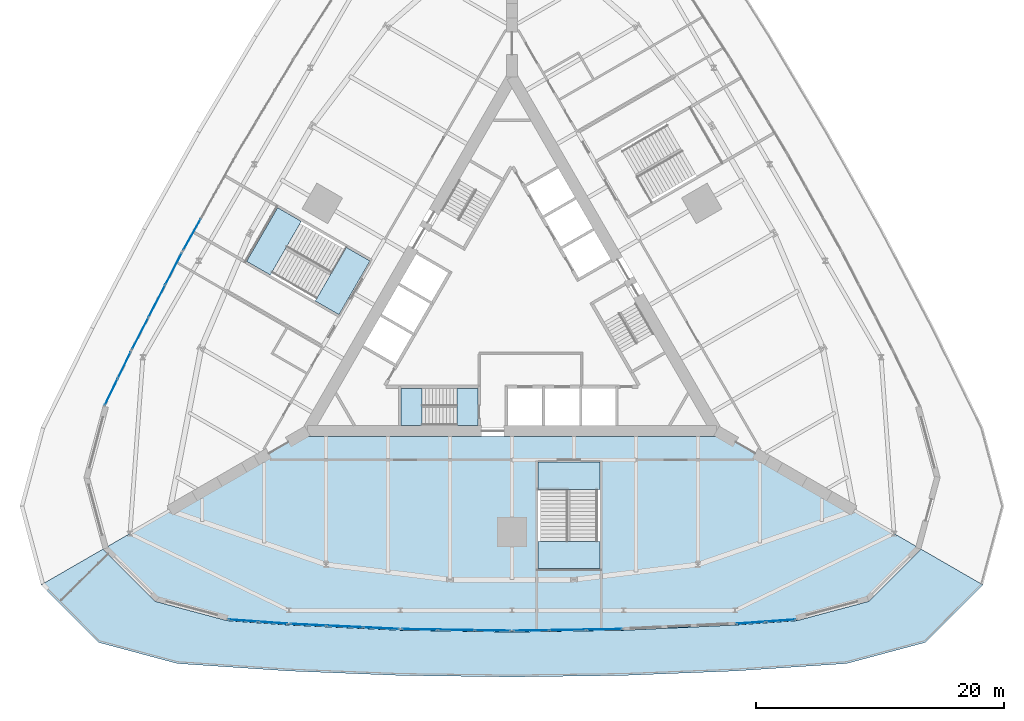
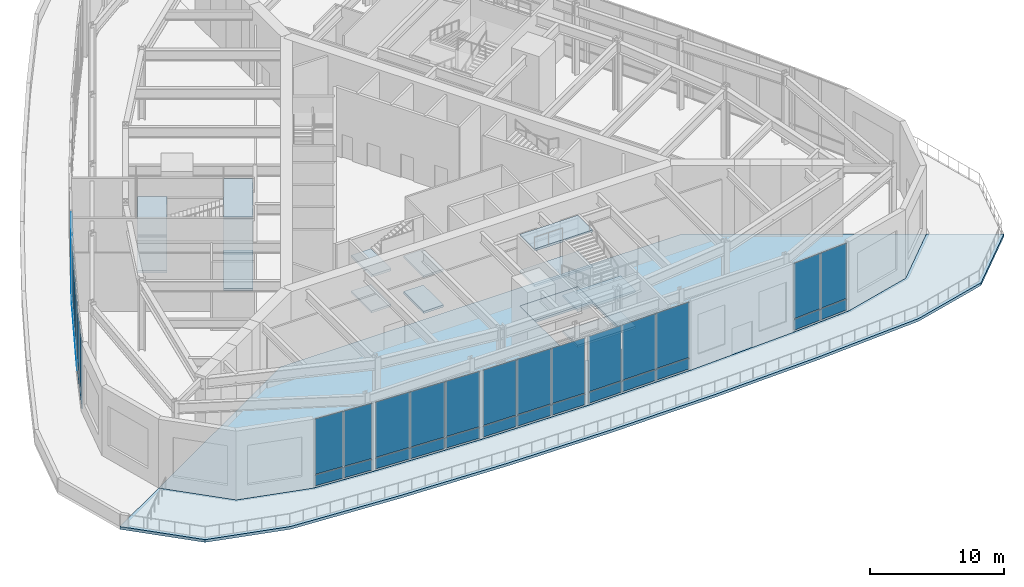
# One storey, part 9 of 19: 38 plates, 16 slabs, 11 elements without a shape of their own.
"""IFC4 building model written with IfcOpenShell, lengths in metres."""

import ifcopenshell
import ifcopenshell.guid

model = None  # the IFC model being written
_history = None  # IfcOwnerHistory: only IFC2X3 demands one
_inside = {}  # id of a spatial element -> (the spatial element, [elements in it])
_under = {}  # id of a project, library or spatial element -> (it, [spatial elements below it])
_declared = {}  # id of a project -> (the project, [libraries it declares])
_typed = {}  # id of a type object -> (the type object, [elements of that type])
_made_of = {}  # id of a material, layer set ... -> (it, [elements and type objects made of it])


def new_model(schema):
    """Start an empty IFC model of exactly this schema.

    Asked for "IFC4X3", IfcOpenShell would pick the latest addendum, in which some entities
    have other attributes; the version numbers below select the first issue.
    IFC2X3 requires an IfcOwnerHistory on every rooted entity: one is made here for all.
    """
    global model, _history
    if schema == "IFC4X3":
        model = ifcopenshell.file(schema_version=(4, 3, 0, 0))
    else:
        model = ifcopenshell.file(schema=schema)
    _inside.clear()
    _under.clear()
    _declared.clear()
    _typed.clear()
    _made_of.clear()
    _history = None
    if model.schema == "IFC2X3":
        org = make("IfcOrganization", Name="unknown")
        user = make(
            "IfcPersonAndOrganization",
            ThePerson=make("IfcPerson", FamilyName="unknown"),
            TheOrganization=org,
        )
        app = make(
            "IfcApplication",
            ApplicationDeveloper=org,
            Version="unknown",
            ApplicationFullName="unknown",
            ApplicationIdentifier="unknown",
        )
        _history = make(
            "IfcOwnerHistory",
            OwningUser=user,
            OwningApplication=app,
            ChangeAction="ADDED",
            CreationDate=0,
        )
    return model


def make(cls, **values):
    """One entity of the class cls with the attributes given. An attribute that is None is left unset."""
    return model.create_entity(
        cls, **{name: value for name, value in values.items() if value is not None}
    )


def rooted(cls, **values):
    """An entity with a GlobalId (a new one), such as an element, a storey or a relation."""
    return make(cls, GlobalId=ifcopenshell.guid.new(), OwnerHistory=_history, **values)


def si_unit(unit_type, name, prefix=None):
    """IfcSIUnit, for example si_unit("LENGTHUNIT", "METRE", prefix="MILLI")."""
    return make("IfcSIUnit", UnitType=unit_type, Prefix=prefix, Name=name)


def assignment(units):
    """IfcUnitAssignment: the units of a project."""
    return None if units is None else make("IfcUnitAssignment", Units=units)


def point(xyz):
    """IfcCartesianPoint."""
    return None if xyz is None else make("IfcCartesianPoint", Coordinates=xyz)


def direction(xyz):
    """IfcDirection."""
    return None if xyz is None else make("IfcDirection", DirectionRatios=xyz)


def frame(location, z_axis=None, x_axis=None):
    """IfcAxis2Placement3D, a coordinate frame: its origin and axes. An axis left out is left unset."""
    return make(
        "IfcAxis2Placement3D",
        Location=point(location),
        Axis=direction(z_axis),
        RefDirection=direction(x_axis),
    )


def frame_2d(location, x_axis=None):
    """IfcAxis2Placement2D, a coordinate frame in the plane: its origin and x axis."""
    return make(
        "IfcAxis2Placement2D", Location=point(location), RefDirection=direction(x_axis)
    )


def origin():
    """The frame at (0, 0, 0) with its axes left unset."""
    return frame((0.0, 0.0, 0.0))


def origin_2d():
    """The frame at (0, 0) in the plane with its x axis left unset."""
    return frame_2d((0.0, 0.0))


def place(relative_to, where):
    """IfcLocalPlacement: puts the frame where relative to a parent placement (None: the world)."""
    return make(
        "IfcLocalPlacement", PlacementRelTo=relative_to, RelativePlacement=where
    )


def context(
    kind, dimensions, precision=None, world=None, true_north=None, identifier=None
):
    """IfcGeometricRepresentationContext, for example the 3D "Model" context."""
    return make(
        "IfcGeometricRepresentationContext",
        ContextIdentifier=identifier,
        ContextType=kind,
        CoordinateSpaceDimension=dimensions,
        Precision=precision,
        WorldCoordinateSystem=world,
        TrueNorth=true_north,
    )


def subcontext(parent, identifier, kind, view, scale=None):
    """IfcGeometricRepresentationSubContext, for example "Body" below "Model"."""
    return make(
        "IfcGeometricRepresentationSubContext",
        ContextIdentifier=identifier,
        ContextType=kind,
        ParentContext=parent,
        TargetScale=scale,
        TargetView=view,
    )


def project(units=None, contexts=None):
    """IfcProject with its units and contexts."""
    return rooted(
        "IfcProject",
        Name="project",
        RepresentationContexts=contexts,
        UnitsInContext=assignment(units),
    )


def spatial(cls, under=None, at=None, **own):
    """A site, building, storey or space (cls), placed at a placement, below another one or the project."""
    s = rooted(cls, ObjectPlacement=at, **own)
    if under is not None:
        _under.setdefault(under.id(), (under, []))[1].append(s)
    return s


def polyline(points):
    """IfcPolyline through the points."""
    return make("IfcPolyline", Points=[point(p) for p in points])


def profile(cls, at=None, kind="AREA", **sizes):
    """A parametric profile (cls). Its sizes go by their IFC names, for example OverallWidth=200.0."""
    return make(cls, ProfileType=kind, Position=at, **sizes)


def rectangle(**sizes):
    """IfcRectangleProfileDef."""
    return profile("IfcRectangleProfileDef", **sizes)


def outline(outer, holes=None, kind="AREA"):
    """IfcArbitraryClosedProfileDef: a profile drawn as a closed curve; with holes, ...WithVoids."""
    if holes is None:
        return make("IfcArbitraryClosedProfileDef", ProfileType=kind, OuterCurve=outer)
    return make(
        "IfcArbitraryProfileDefWithVoids",
        ProfileType=kind,
        OuterCurve=outer,
        InnerCurves=holes,
    )


def extrude(swept, where, along, depth):
    """IfcExtrudedAreaSolid: the profile swept, set in the frame where, extruded along a direction by depth."""
    return make(
        "IfcExtrudedAreaSolid",
        SweptArea=swept,
        Position=where,
        ExtrudedDirection=direction(along),
        Depth=depth,
    )


def shape(context_of_items, identifier, shape_type, items):
    """IfcShapeRepresentation: the items that make up one representation, for example the "Body"."""
    return make(
        "IfcShapeRepresentation",
        ContextOfItems=context_of_items,
        RepresentationIdentifier=identifier,
        RepresentationType=shape_type,
        Items=items,
    )


def material(Name=None, Category=None):
    """IfcMaterial."""
    return make("IfcMaterial", Name=Name, Category=Category)


def layer(
    of_material, thickness, ventilated=None, Name=None, Category=None, Priority=None
):
    """IfcMaterialLayer: one layer of a wall or slab, of a material (None: an air gap)."""
    return make(
        "IfcMaterialLayer",
        Material=of_material,
        LayerThickness=thickness,
        IsVentilated=ventilated,
        Name=Name,
        Category=Category,
        Priority=Priority,
    )


def layer_set(layers, Name=None):
    """IfcMaterialLayerSet."""
    return make("IfcMaterialLayerSet", MaterialLayers=layers, LayerSetName=Name)


def made_of(thing, what):
    """Note that an element or type object is made of a material, layer set ...; save() writes the relation."""
    if what is not None:
        _made_of.setdefault(what.id(), (what, []))[1].append(thing)
    return thing


def type_object(cls, material=None, **own):
    """A type object (cls), such as IfcWallType, which elements share."""
    return made_of(rooted(cls, **own), material)


def element(
    cls,
    number,
    at=None,
    inside=None,
    cuts=None,
    type_object=None,
    material=None,
    context=None,
    identifier="Body",
    shape_type=None,
    held_by="IfcProductDefinitionShape",
    body=None,
    shapes=None,
    **own,
):
    """One element of the class cls, such as IfcWall. Its Tag is "e" and its number.

    at: its placement. inside: the storey or other place that contains it. cuts: it is an
    opening in that element (IfcRelVoidsElement). A single representation is given by context,
    identifier, shape_type and body (its items); several are given by shapes. held_by: the class
    of the entity that holds the representations. save() writes the other relations.
    """
    e = rooted(cls, Tag="e%d" % number, ObjectPlacement=at, **own)
    if body is not None:
        shapes = [shape(context, identifier, shape_type, body)]
    if shapes is not None:
        e.Representation = make(held_by, Representations=shapes)
    if inside is not None:
        _inside.setdefault(inside.id(), (inside, []))[1].append(e)
    if cuts is not None:
        rooted(
            "IfcRelVoidsElement", RelatingBuildingElement=cuts, RelatedOpeningElement=e
        )
    if type_object is not None:
        _typed.setdefault(type_object.id(), (type_object, []))[1].append(e)
    return made_of(e, material)


def aggregate(whole, parts):
    """IfcRelAggregates: a whole, such as a stair, and the parts it consists of."""
    return rooted("IfcRelAggregates", RelatingObject=whole, RelatedObjects=parts)


def save(model, path):
    """Write the relations noted so far, then the file.

    IfcRelAggregates (storeys below a building ...), IfcRelContainedInSpatialStructure (elements
    in a storey), IfcRelDefinesByType, IfcRelAssociatesMaterial and IfcRelDeclares: one each for
    every whole, place, type object, material and project.
    """
    for whole, parts in _under.values():
        aggregate(whole, parts)
    for where, things in _inside.values():
        rooted(
            "IfcRelContainedInSpatialStructure",
            RelatedElements=things,
            RelatingStructure=where,
        )
    for kind, things in _typed.values():
        rooted("IfcRelDefinesByType", RelatedObjects=things, RelatingType=kind)
    for what, things in _made_of.values():
        rooted("IfcRelAssociatesMaterial", RelatedObjects=things, RelatingMaterial=what)
    for by, libraries in _declared.values():
        rooted("IfcRelDeclares", RelatingContext=by, RelatedDefinitions=libraries)
    model.write(path)


model = new_model("IFC4")

# Units and contexts
model_context = context("Model", 3, precision=1e-05, world=origin(), true_north=direction((0.0, 1.0)))
body_context = subcontext(model_context, "Body", "Model", "MODEL_VIEW")
ifc_project = project(units=[si_unit("LENGTHUNIT", "METRE"), si_unit("AREAUNIT", "SQUARE_METRE"), si_unit("VOLUMEUNIT", "CUBIC_METRE"), si_unit("PLANEANGLEUNIT", "RADIAN"), si_unit("MASSUNIT", "GRAM", prefix="KILO")], contexts=[model_context])

# Site, building, storey
site_placement = place(None, origin())
site = spatial("IfcSite", under=ifc_project, at=site_placement, CompositionType="ELEMENT")
building_placement = place(site_placement, origin())
building = spatial("IfcBuilding", under=site, at=building_placement, Name="Trikona Tower", CompositionType="ELEMENT")
storey_placement = place(building_placement, frame((0.0, 0.0, 11.0)))
storey = spatial("IfcBuildingStorey", under=building, at=storey_placement, Name="L02", CompositionType="ELEMENT", Elevation=11.0)

# Slab
ifc_material_1 = material(Name="Concrete f'c 5000 psi lightweight on composite steel deck", Category="concrete")
ifc_layer_1 = layer(ifc_material_1, 0.25)
ifc_layer_set_1 = layer_set([ifc_layer_1], Name="Composite floor slab 250")
slab_type_1 = type_object("IfcSlabType", Name="Composite floor slab 250", PredefinedType="FLOOR", material=ifc_layer_set_1)
slab_1_placement = place(storey_placement, frame((0.0, 0.0, -0.25)))
element("IfcSlab", 1, at=slab_1_placement, inside=storey, type_object=slab_type_1, Name="Floor slab L02 south", PredefinedType="FLOOR", context=body_context, shape_type="SweptSolid", body=[
    extrude(outline(polyline([(33.0, -19.052490234375), (17.279296875, -9.976318359375), (-17.279296875, -9.976318359375), (-33.0, -19.052490234375), (-28.7734375, -23.279052734375), (-23.0, -24.826171875), (-18.0, -25.1826171875), (-9.0, -25.605224609375), (0.0, -25.74609375), (9.0, -25.605224609375), (18.0, -25.1826171875), (23.0, -24.826171875), (28.7734375, -23.279052734375), (33.0, -19.052490234375)]), holes=[polyline([(2.10009765625, -20.626220703125), (7.10009765625, -20.626220703125), (7.10009765625, -12.0263671875), (2.10009765625, -12.0263671875), (2.10009765625, -20.626220703125)])]), origin(), (0.0, 0.0, 1.0), 0.25),
])

# Curtain wall, plates
ifc_material_2 = material(Name="Aluminium curtain wall system", Category="aluminium")
curtain_wall_type = type_object("IfcCurtainWallType", Name="Curtain wall PD", PredefinedType="NOTDEFINED", material=ifc_material_2)
curtain_wall_1_placement = place(storey_placement, origin())
curtain_wall_1 = element("IfcCurtainWall", 2, at=curtain_wall_1_placement, inside=storey, type_object=curtain_wall_type, Name="Curtain wall PD L02", PredefinedType="NOTDEFINED")
ifc_material_3 = material(Name="Clear insulating glass unit", Category="glass")
ifc_layer_2 = layer(ifc_material_3, 0.028076171875)
ifc_layer_set_2 = layer_set([ifc_layer_2], Name="Glass panel PD")
plate_type = type_object("IfcPlateType", Name="Glass panel PD", PredefinedType="CURTAIN_PANEL", material=ifc_layer_set_2)
plate_1_placement = place(storey_placement, frame((-21.6904296875, -24.819091796875, 0.08984375), z_axis=(0.0, 0.0, 1.0), x_axis=(0.997467303752, -0.071126492569, 0.0)))
plate_1 = element("IfcPlate", 3, at=plate_1_placement, type_object=plate_type, Name="CW-PD panel 1.1", PredefinedType="CURTAIN_PANEL", context=body_context, shape_type="SweptSolid", body=[
    extrude(rectangle(XDim=2.311279296875, YDim=0.028076171875, at=origin_2d()), origin(), (0.0, 0.0, 1.0), 0.965087890625),
])
plate_2_placement = place(storey_placement, frame((-21.6904296875, -24.819091796875, 1.14501953125), z_axis=(0.0, 0.0, 1.0), x_axis=(0.997467303752, -0.071126492569, 0.0)))
plate_2 = element("IfcPlate", 4, at=plate_2_placement, type_object=plate_type, Name="CW-PD panel 1.2", PredefinedType="CURTAIN_PANEL", context=body_context, shape_type="SweptSolid", body=[
    extrude(rectangle(XDim=2.311279296875, YDim=0.028076171875, at=origin_2d()), origin(), (0.0, 0.0, 1.0), 5.014892578125),
])
plate_3_placement = place(storey_placement, frame((-19.295166015625, -24.989990234375, 0.08984375), z_axis=(0.0, 0.0, 1.0), x_axis=(0.997467303752, -0.071126492569, 0.0)))
plate_3 = element("IfcPlate", 5, at=plate_3_placement, type_object=plate_type, Name="CW-PD panel 2.1", PredefinedType="CURTAIN_PANEL", context=body_context, shape_type="SweptSolid", body=[
    extrude(rectangle(XDim=2.311279296875, YDim=0.028076171875, at=origin_2d()), origin(), (0.0, 0.0, 1.0), 0.965087890625),
])
plate_4_placement = place(storey_placement, frame((-19.295166015625, -24.989990234375, 1.14501953125), z_axis=(0.0, 0.0, 1.0), x_axis=(0.997467303752, -0.071126492569, 0.0)))
plate_4 = element("IfcPlate", 6, at=plate_4_placement, type_object=plate_type, Name="CW-PD panel 2.2", PredefinedType="CURTAIN_PANEL", context=body_context, shape_type="SweptSolid", body=[
    extrude(rectangle(XDim=2.311279296875, YDim=0.028076171875, at=origin_2d()), origin(), (0.0, 0.0, 1.0), 5.014892578125),
])
aggregate(curtain_wall_1, [plate_1, plate_2, plate_3, plate_4])

curtain_wall_2_placement = place(storey_placement, origin())
curtain_wall_2 = element("IfcCurtainWall", 7, at=curtain_wall_2_placement, inside=storey, type_object=curtain_wall_type, Name="Curtain wall PD L02", PredefinedType="NOTDEFINED")
plate_5_placement = place(storey_placement, frame((-16.432861328125, -25.156005859375, 0.08984375), z_axis=(0.0, 0.0, 1.0), x_axis=(0.998899274315, -0.046906713512, 0.0)))
plate_5 = element("IfcPlate", 8, at=plate_5_placement, type_object=plate_type, Name="CW-PD panel 1.1", PredefinedType="CURTAIN_PANEL", context=body_context, shape_type="SweptSolid", body=[
    extrude(rectangle(XDim=2.828369140625, YDim=0.028076171875, at=origin_2d()), origin(), (0.0, 0.0, 1.0), 0.965087890625),
])
plate_6_placement = place(storey_placement, frame((-16.432861328125, -25.156005859375, 1.14501953125), z_axis=(0.0, 0.0, 1.0), x_axis=(0.998899274315, -0.046906713512, 0.0)))
plate_6 = element("IfcPlate", 9, at=plate_6_placement, type_object=plate_type, Name="CW-PD panel 1.2", PredefinedType="CURTAIN_PANEL", context=body_context, shape_type="SweptSolid", body=[
    extrude(rectangle(XDim=2.828369140625, YDim=0.028076171875, at=origin_2d()), origin(), (0.0, 0.0, 1.0), 5.014892578125),
])
plate_7_placement = place(storey_placement, frame((-13.495361328125, -25.2939453125, 0.08984375), z_axis=(0.0, 0.0, 1.0), x_axis=(0.998899274315, -0.046906713512, 0.0)))
plate_7 = element("IfcPlate", 10, at=plate_7_placement, type_object=plate_type, Name="CW-PD panel 2.1", PredefinedType="CURTAIN_PANEL", context=body_context, shape_type="SweptSolid", body=[
    extrude(rectangle(XDim=2.873291015625, YDim=0.028076171875, at=origin_2d()), origin(), (0.0, 0.0, 1.0), 0.965087890625),
])
plate_8_placement = place(storey_placement, frame((-13.495361328125, -25.2939453125, 1.14501953125), z_axis=(0.0, 0.0, 1.0), x_axis=(0.998899274315, -0.046906713512, 0.0)))
plate_8 = element("IfcPlate", 11, at=plate_8_placement, type_object=plate_type, Name="CW-PD panel 2.2", PredefinedType="CURTAIN_PANEL", context=body_context, shape_type="SweptSolid", body=[
    extrude(rectangle(XDim=2.873291015625, YDim=0.028076171875, at=origin_2d()), origin(), (0.0, 0.0, 1.0), 5.014892578125),
])
plate_9_placement = place(storey_placement, frame((-10.5576171875, -25.431884765625, 0.08984375), z_axis=(0.0, 0.0, 1.0), x_axis=(0.998899274315, -0.046906713512, 0.0)))
plate_9 = element("IfcPlate", 12, at=plate_9_placement, type_object=plate_type, Name="CW-PD panel 3.1", PredefinedType="CURTAIN_PANEL", context=body_context, shape_type="SweptSolid", body=[
    extrude(rectangle(XDim=2.828369140625, YDim=0.028076171875, at=origin_2d()), origin(), (0.0, 0.0, 1.0), 0.965087890625),
])
plate_10_placement = place(storey_placement, frame((-10.5576171875, -25.431884765625, 1.14501953125), z_axis=(0.0, 0.0, 1.0), x_axis=(0.998899274315, -0.046906713512, 0.0)))
plate_10 = element("IfcPlate", 13, at=plate_10_placement, type_object=plate_type, Name="CW-PD panel 3.2", PredefinedType="CURTAIN_PANEL", context=body_context, shape_type="SweptSolid", body=[
    extrude(rectangle(XDim=2.828369140625, YDim=0.028076171875, at=origin_2d()), origin(), (0.0, 0.0, 1.0), 5.014892578125),
])
aggregate(curtain_wall_2, [plate_5, plate_6, plate_7, plate_8, plate_9, plate_10])

curtain_wall_3_placement = place(storey_placement, origin())
curtain_wall_3 = element("IfcCurtainWall", 14, at=curtain_wall_3_placement, inside=storey, type_object=curtain_wall_type, Name="Curtain wall PD L02", PredefinedType="NOTDEFINED")
plate_11_placement = place(storey_placement, frame((-7.435791015625, -25.52978515625, 0.08984375), z_axis=(0.0, 0.0, 1.0), x_axis=(0.999877511907, -0.015651235835, 0.0)))
plate_11 = element("IfcPlate", 15, at=plate_11_placement, type_object=plate_type, Name="CW-PD panel 1.1", PredefinedType="CURTAIN_PANEL", context=body_context, shape_type="SweptSolid", body=[
    extrude(rectangle(XDim=2.825439453125, YDim=0.028076171875, at=origin_2d()), origin(), (0.0, 0.0, 1.0), 0.965087890625),
])
plate_12_placement = place(storey_placement, frame((-7.435791015625, -25.52978515625, 1.14501953125), z_axis=(0.0, 0.0, 1.0), x_axis=(0.999877511907, -0.015651235835, 0.0)))
plate_12 = element("IfcPlate", 16, at=plate_12_placement, type_object=plate_type, Name="CW-PD panel 1.2", PredefinedType="CURTAIN_PANEL", context=body_context, shape_type="SweptSolid", body=[
    extrude(rectangle(XDim=2.825439453125, YDim=0.028076171875, at=origin_2d()), origin(), (0.0, 0.0, 1.0), 5.014892578125),
])
plate_13_placement = place(storey_placement, frame((-4.498291015625, -25.57568359375, 0.08984375), z_axis=(0.0, 0.0, 1.0), x_axis=(0.999877511907, -0.015651235835, 0.0)))
plate_13 = element("IfcPlate", 17, at=plate_13_placement, type_object=plate_type, Name="CW-PD panel 2.1", PredefinedType="CURTAIN_PANEL", context=body_context, shape_type="SweptSolid", body=[
    extrude(rectangle(XDim=2.870361328125, YDim=0.028076171875, at=origin_2d()), origin(), (0.0, 0.0, 1.0), 0.965087890625),
])
plate_14_placement = place(storey_placement, frame((-4.498291015625, -25.57568359375, 1.14501953125), z_axis=(0.0, 0.0, 1.0), x_axis=(0.999877511907, -0.015651235835, 0.0)))
plate_14 = element("IfcPlate", 18, at=plate_14_placement, type_object=plate_type, Name="CW-PD panel 2.2", PredefinedType="CURTAIN_PANEL", context=body_context, shape_type="SweptSolid", body=[
    extrude(rectangle(XDim=2.870361328125, YDim=0.028076171875, at=origin_2d()), origin(), (0.0, 0.0, 1.0), 5.014892578125),
])
plate_15_placement = place(storey_placement, frame((-1.560791015625, -25.62158203125, 0.08984375), z_axis=(0.0, 0.0, 1.0), x_axis=(0.999877511907, -0.015651235835, 0.0)))
plate_15 = element("IfcPlate", 19, at=plate_15_placement, type_object=plate_type, Name="CW-PD panel 3.1", PredefinedType="CURTAIN_PANEL", context=body_context, shape_type="SweptSolid", body=[
    extrude(rectangle(XDim=2.825439453125, YDim=0.028076171875, at=origin_2d()), origin(), (0.0, 0.0, 1.0), 0.965087890625),
])
plate_16_placement = place(storey_placement, frame((-1.560791015625, -25.62158203125, 1.14501953125), z_axis=(0.0, 0.0, 1.0), x_axis=(0.999877511907, -0.015651235835, 0.0)))
plate_16 = element("IfcPlate", 20, at=plate_16_placement, type_object=plate_type, Name="CW-PD panel 3.2", PredefinedType="CURTAIN_PANEL", context=body_context, shape_type="SweptSolid", body=[
    extrude(rectangle(XDim=2.825439453125, YDim=0.028076171875, at=origin_2d()), origin(), (0.0, 0.0, 1.0), 5.014892578125),
])
aggregate(curtain_wall_3, [plate_11, plate_12, plate_13, plate_14, plate_15, plate_16])

curtain_wall_4_placement = place(storey_placement, origin())
curtain_wall_4 = element("IfcCurtainWall", 21, at=curtain_wall_4_placement, inside=storey, type_object=curtain_wall_type, Name="Curtain wall PD L02", PredefinedType="NOTDEFINED")
plate_17_placement = place(storey_placement, frame((1.560791015625, -25.62158203125, 0.08984375), z_axis=(0.0, 0.0, 1.0), x_axis=(0.999877511907, 0.015651235835, 0.0)))
plate_17 = element("IfcPlate", 22, at=plate_17_placement, type_object=plate_type, Name="CW-PD panel 1.1", PredefinedType="CURTAIN_PANEL", context=body_context, shape_type="SweptSolid", body=[
    extrude(rectangle(XDim=2.825439453125, YDim=0.028076171875, at=origin_2d()), origin(), (0.0, 0.0, 1.0), 0.965087890625),
])
plate_18_placement = place(storey_placement, frame((1.560791015625, -25.62158203125, 1.14501953125), z_axis=(0.0, 0.0, 1.0), x_axis=(0.999877511907, 0.015651235835, 0.0)))
plate_18 = element("IfcPlate", 23, at=plate_18_placement, type_object=plate_type, Name="CW-PD panel 1.2", PredefinedType="CURTAIN_PANEL", context=body_context, shape_type="SweptSolid", body=[
    extrude(rectangle(XDim=2.825439453125, YDim=0.028076171875, at=origin_2d()), origin(), (0.0, 0.0, 1.0), 5.014892578125),
])
plate_19_placement = place(storey_placement, frame((4.498291015625, -25.57568359375, 0.08984375), z_axis=(0.0, 0.0, 1.0), x_axis=(0.999877511907, 0.015651235835, 0.0)))
plate_19 = element("IfcPlate", 24, at=plate_19_placement, type_object=plate_type, Name="CW-PD panel 2.1", PredefinedType="CURTAIN_PANEL", context=body_context, shape_type="SweptSolid", body=[
    extrude(rectangle(XDim=2.870361328125, YDim=0.028076171875, at=origin_2d()), origin(), (0.0, 0.0, 1.0), 0.965087890625),
])
plate_20_placement = place(storey_placement, frame((4.498291015625, -25.57568359375, 1.14501953125), z_axis=(0.0, 0.0, 1.0), x_axis=(0.999877511907, 0.015651235835, 0.0)))
plate_20 = element("IfcPlate", 25, at=plate_20_placement, type_object=plate_type, Name="CW-PD panel 2.2", PredefinedType="CURTAIN_PANEL", context=body_context, shape_type="SweptSolid", body=[
    extrude(rectangle(XDim=2.870361328125, YDim=0.028076171875, at=origin_2d()), origin(), (0.0, 0.0, 1.0), 5.014892578125),
])
plate_21_placement = place(storey_placement, frame((7.435791015625, -25.52978515625, 0.08984375), z_axis=(0.0, 0.0, 1.0), x_axis=(0.999877511907, 0.015651235835, 0.0)))
plate_21 = element("IfcPlate", 26, at=plate_21_placement, type_object=plate_type, Name="CW-PD panel 3.1", PredefinedType="CURTAIN_PANEL", context=body_context, shape_type="SweptSolid", body=[
    extrude(rectangle(XDim=2.825439453125, YDim=0.028076171875, at=origin_2d()), origin(), (0.0, 0.0, 1.0), 0.965087890625),
])
plate_22_placement = place(storey_placement, frame((7.435791015625, -25.52978515625, 1.14501953125), z_axis=(0.0, 0.0, 1.0), x_axis=(0.999877511907, 0.015651235835, 0.0)))
plate_22 = element("IfcPlate", 27, at=plate_22_placement, type_object=plate_type, Name="CW-PD panel 3.2", PredefinedType="CURTAIN_PANEL", context=body_context, shape_type="SweptSolid", body=[
    extrude(rectangle(XDim=2.825439453125, YDim=0.028076171875, at=origin_2d()), origin(), (0.0, 0.0, 1.0), 5.014892578125),
])
aggregate(curtain_wall_4, [plate_17, plate_18, plate_19, plate_20, plate_21, plate_22])

curtain_wall_5_placement = place(storey_placement, origin())
curtain_wall_5 = element("IfcCurtainWall", 28, at=curtain_wall_5_placement, inside=storey, type_object=curtain_wall_type, Name="Curtain wall PD L02", PredefinedType="NOTDEFINED")
plate_23_placement = place(storey_placement, frame((19.295166015625, -24.989990234375, 0.08984375), z_axis=(0.0, 0.0, 1.0), x_axis=(0.997467303752, 0.071126492569, 0.0)))
plate_23 = element("IfcPlate", 29, at=plate_23_placement, type_object=plate_type, Name="CW-PD panel 1.1", PredefinedType="CURTAIN_PANEL", context=body_context, shape_type="SweptSolid", body=[
    extrude(rectangle(XDim=2.311279296875, YDim=0.028076171875, at=origin_2d()), origin(), (0.0, 0.0, 1.0), 0.965087890625),
])
plate_24_placement = place(storey_placement, frame((19.295166015625, -24.989990234375, 1.14501953125), z_axis=(0.0, 0.0, 1.0), x_axis=(0.997467303752, 0.071126492569, 0.0)))
plate_24 = element("IfcPlate", 30, at=plate_24_placement, type_object=plate_type, Name="CW-PD panel 1.2", PredefinedType="CURTAIN_PANEL", context=body_context, shape_type="SweptSolid", body=[
    extrude(rectangle(XDim=2.311279296875, YDim=0.028076171875, at=origin_2d()), origin(), (0.0, 0.0, 1.0), 5.014892578125),
])
plate_25_placement = place(storey_placement, frame((21.6904296875, -24.819091796875, 0.08984375), z_axis=(0.0, 0.0, 1.0), x_axis=(0.997467303752, 0.071126492569, 0.0)))
plate_25 = element("IfcPlate", 31, at=plate_25_placement, type_object=plate_type, Name="CW-PD panel 2.1", PredefinedType="CURTAIN_PANEL", context=body_context, shape_type="SweptSolid", body=[
    extrude(rectangle(XDim=2.311279296875, YDim=0.028076171875, at=origin_2d()), origin(), (0.0, 0.0, 1.0), 0.965087890625),
])
plate_26_placement = place(storey_placement, frame((21.6904296875, -24.819091796875, 1.14501953125), z_axis=(0.0, 0.0, 1.0), x_axis=(0.997467303752, 0.071126492569, 0.0)))
plate_26 = element("IfcPlate", 32, at=plate_26_placement, type_object=plate_type, Name="CW-PD panel 2.2", PredefinedType="CURTAIN_PANEL", context=body_context, shape_type="SweptSolid", body=[
    extrude(rectangle(XDim=2.311279296875, YDim=0.028076171875, at=origin_2d()), origin(), (0.0, 0.0, 1.0), 5.014892578125),
])
aggregate(curtain_wall_5, [plate_23, plate_24, plate_25, plate_26])

curtain_wall_6_placement = place(storey_placement, origin())
curtain_wall_6 = element("IfcCurtainWall", 33, at=curtain_wall_6_placement, inside=storey, type_object=curtain_wall_type, Name="Curtain wall PD L02", PredefinedType="NOTDEFINED")
plate_27_placement = place(storey_placement, frame((-25.8271484375, 6.3251953125, 0.08984375), z_axis=(0.0, 0.0, 1.0), x_axis=(-0.486387509156, -0.873743206518, 0.0)))
plate_27 = element("IfcPlate", 34, at=plate_27_placement, type_object=plate_type, Name="CW-PD panel 3.1", PredefinedType="CURTAIN_PANEL", context=body_context, shape_type="SweptSolid", body=[
    extrude(rectangle(XDim=2.825439453125, YDim=0.028076171875, at=origin_2d()), origin(), (0.0, 0.0, 1.0), 0.965087890625),
])
plate_28_placement = place(storey_placement, frame((-25.8271484375, 6.3251953125, 1.14501953125), z_axis=(0.0, 0.0, 1.0), x_axis=(-0.486387509156, -0.873743206518, 0.0)))
plate_28 = element("IfcPlate", 35, at=plate_28_placement, type_object=plate_type, Name="CW-PD panel 3.2", PredefinedType="CURTAIN_PANEL", context=body_context, shape_type="SweptSolid", body=[
    extrude(rectangle(XDim=2.825439453125, YDim=0.028076171875, at=origin_2d()), origin(), (0.0, 0.0, 1.0), 5.014892578125),
])
aggregate(curtain_wall_6, [plate_27, plate_28])

curtain_wall_7_placement = place(storey_placement, origin())
curtain_wall_7 = element("IfcCurtainWall", 36, at=curtain_wall_7_placement, inside=storey, type_object=curtain_wall_type, Name="Curtain wall PD L02", PredefinedType="NOTDEFINED")
plate_29_placement = place(storey_placement, frame((-27.303466796875, 3.57275390625, 0.08984375), z_axis=(0.0, 0.0, 1.0), x_axis=(-0.458829153469, -0.88852451172, 0.0)))
plate_29 = element("IfcPlate", 37, at=plate_29_placement, type_object=plate_type, Name="CW-PD panel 1.1", PredefinedType="CURTAIN_PANEL", context=body_context, shape_type="SweptSolid", body=[
    extrude(rectangle(XDim=2.828369140625, YDim=0.028076171875, at=origin_2d()), origin(), (0.0, 0.0, 1.0), 0.965087890625),
])
plate_30_placement = place(storey_placement, frame((-27.303466796875, 3.57275390625, 1.14501953125), z_axis=(0.0, 0.0, 1.0), x_axis=(-0.458829153469, -0.88852451172, 0.0)))
plate_30 = element("IfcPlate", 38, at=plate_30_placement, type_object=plate_type, Name="CW-PD panel 1.2", PredefinedType="CURTAIN_PANEL", context=body_context, shape_type="SweptSolid", body=[
    extrude(rectangle(XDim=2.828369140625, YDim=0.028076171875, at=origin_2d()), origin(), (0.0, 0.0, 1.0), 5.014892578125),
])
plate_31_placement = place(storey_placement, frame((-28.65283203125, 0.959716796875, 0.08984375), z_axis=(0.0, 0.0, 1.0), x_axis=(-0.458829153469, -0.88852451172, 0.0)))
plate_31 = element("IfcPlate", 39, at=plate_31_placement, type_object=plate_type, Name="CW-PD panel 2.1", PredefinedType="CURTAIN_PANEL", context=body_context, shape_type="SweptSolid", body=[
    extrude(rectangle(XDim=2.873291015625, YDim=0.028076171875, at=origin_2d()), origin(), (0.0, 0.0, 1.0), 0.965087890625),
])
plate_32_placement = place(storey_placement, frame((-28.65283203125, 0.959716796875, 1.14501953125), z_axis=(0.0, 0.0, 1.0), x_axis=(-0.458829153469, -0.88852451172, 0.0)))
plate_32 = element("IfcPlate", 40, at=plate_32_placement, type_object=plate_type, Name="CW-PD panel 2.2", PredefinedType="CURTAIN_PANEL", context=body_context, shape_type="SweptSolid", body=[
    extrude(rectangle(XDim=2.873291015625, YDim=0.028076171875, at=origin_2d()), origin(), (0.0, 0.0, 1.0), 5.014892578125),
])
plate_33_placement = place(storey_placement, frame((-30.002197265625, -1.6533203125, 0.08984375), z_axis=(0.0, 0.0, 1.0), x_axis=(-0.458829153469, -0.88852451172, 0.0)))
plate_33 = element("IfcPlate", 41, at=plate_33_placement, type_object=plate_type, Name="CW-PD panel 3.1", PredefinedType="CURTAIN_PANEL", context=body_context, shape_type="SweptSolid", body=[
    extrude(rectangle(XDim=2.828369140625, YDim=0.028076171875, at=origin_2d()), origin(), (0.0, 0.0, 1.0), 0.965087890625),
])
plate_34_placement = place(storey_placement, frame((-30.002197265625, -1.6533203125, 1.14501953125), z_axis=(0.0, 0.0, 1.0), x_axis=(-0.458829153469, -0.88852451172, 0.0)))
plate_34 = element("IfcPlate", 42, at=plate_34_placement, type_object=plate_type, Name="CW-PD panel 3.2", PredefinedType="CURTAIN_PANEL", context=body_context, shape_type="SweptSolid", body=[
    extrude(rectangle(XDim=2.828369140625, YDim=0.028076171875, at=origin_2d()), origin(), (0.0, 0.0, 1.0), 5.014892578125),
])
aggregate(curtain_wall_7, [plate_29, plate_30, plate_31, plate_32, plate_33, plate_34])

curtain_wall_8_placement = place(storey_placement, origin())
curtain_wall_8 = element("IfcCurtainWall", 43, at=curtain_wall_8_placement, inside=storey, type_object=curtain_wall_type, Name="Curtain wall PD L02", PredefinedType="NOTDEFINED")
plate_35_placement = place(storey_placement, frame((-31.28955078125, -4.21533203125, 0.08984375), z_axis=(0.0, 0.0, 1.0), x_axis=(-0.437129331746, -0.899398658731, 0.0)))
plate_35 = element("IfcPlate", 44, at=plate_35_placement, type_object=plate_type, Name="CW-PD panel 1.1", PredefinedType="CURTAIN_PANEL", context=body_context, shape_type="SweptSolid", body=[
    extrude(rectangle(XDim=2.311279296875, YDim=0.028076171875, at=origin_2d()), origin(), (0.0, 0.0, 1.0), 0.965087890625),
])
plate_36_placement = place(storey_placement, frame((-31.28955078125, -4.21533203125, 1.14501953125), z_axis=(0.0, 0.0, 1.0), x_axis=(-0.437129331746, -0.899398658731, 0.0)))
plate_36 = element("IfcPlate", 45, at=plate_36_placement, type_object=plate_type, Name="CW-PD panel 1.2", PredefinedType="CURTAIN_PANEL", context=body_context, shape_type="SweptSolid", body=[
    extrude(rectangle(XDim=2.311279296875, YDim=0.028076171875, at=origin_2d()), origin(), (0.0, 0.0, 1.0), 5.014892578125),
])
plate_37_placement = place(storey_placement, frame((-32.33935546875, -6.375, 0.08984375), z_axis=(0.0, 0.0, 1.0), x_axis=(-0.437129331746, -0.899398658731, 0.0)))
plate_37 = element("IfcPlate", 46, at=plate_37_placement, type_object=plate_type, Name="CW-PD panel 2.1", PredefinedType="CURTAIN_PANEL", context=body_context, shape_type="SweptSolid", body=[
    extrude(rectangle(XDim=2.311279296875, YDim=0.028076171875, at=origin_2d()), origin(), (0.0, 0.0, 1.0), 0.965087890625),
])
plate_38_placement = place(storey_placement, frame((-32.33935546875, -6.375, 1.14501953125), z_axis=(0.0, 0.0, 1.0), x_axis=(-0.437129331746, -0.899398658731, 0.0)))
plate_38 = element("IfcPlate", 47, at=plate_38_placement, type_object=plate_type, Name="CW-PD panel 2.2", PredefinedType="CURTAIN_PANEL", context=body_context, shape_type="SweptSolid", body=[
    extrude(rectangle(XDim=2.311279296875, YDim=0.028076171875, at=origin_2d()), origin(), (0.0, 0.0, 1.0), 5.014892578125),
])
aggregate(curtain_wall_8, [plate_35, plate_36, plate_37, plate_38])

# Stair, slabs
ifc_material_4 = material(Name="Concrete f'c 5000 psi", Category="concrete")
stair_type_1 = type_object("IfcStairType", Name="Core stair", PredefinedType="HALF_TURN_STAIR", material=ifc_material_4)
stair_1_placement = place(storey_placement, origin())
stair_1 = element("IfcStair", 48, at=stair_1_placement, inside=storey, type_object=stair_type_1, Name="Stair A L02", PredefinedType="HALF_TURN_STAIR")
ifc_material_5 = material(Name="Concrete f'c 5000 psi", Category="concrete")
ifc_layer_3 = layer(ifc_material_5, 0.199951171875)
ifc_layer_set_3 = layer_set([ifc_layer_3], Name="Stair landing 200")
slab_type_2 = type_object("IfcSlabType", Name="Stair landing 200", PredefinedType="LANDING", material=ifc_layer_set_3)
slab_2_placement = place(storey_placement, frame((0.0, 0.0, -0.199951171875)))
slab_2 = element("IfcSlab", 49, at=slab_2_placement, type_object=slab_type_2, Name="ST-A landing 1", PredefinedType="LANDING", context=body_context, shape_type="SweptSolid", body=[
    extrude(outline(polyline([(-4.452880859375, -6.076416015625), (-2.75, -6.076416015625), (-2.75, -9.076416015625), (-4.452880859375, -9.076416015625), (-4.452880859375, -6.076416015625)])), origin(), (0.0, 0.0, 1.0), 0.199951171875),
])
slab_3_placement = place(storey_placement, frame((0.0, 0.0, 1.425048828125)))
slab_3 = element("IfcSlab", 50, at=slab_3_placement, type_object=slab_type_2, Name="ST-A landing 2", PredefinedType="LANDING", context=body_context, shape_type="SweptSolid", body=[
    extrude(outline(polyline([(-8.949951171875, -6.076416015625), (-7.2470703125, -6.076416015625), (-7.2470703125, -9.076416015625), (-8.949951171875, -9.076416015625), (-8.949951171875, -6.076416015625)])), origin(), (0.0, 0.0, 1.0), 0.199951171875),
])
slab_4_placement = place(storey_placement, frame((0.0, 0.0, 3.050048828125)))
slab_4 = element("IfcSlab", 51, at=slab_4_placement, type_object=slab_type_2, Name="ST-A landing 3", PredefinedType="LANDING", context=body_context, shape_type="SweptSolid", body=[
    extrude(outline(polyline([(-4.452880859375, -6.076416015625), (-2.75, -6.076416015625), (-2.75, -9.076416015625), (-4.452880859375, -9.076416015625), (-4.452880859375, -6.076416015625)])), origin(), (0.0, 0.0, 1.0), 0.199951171875),
])
slab_5_placement = place(storey_placement, frame((0.0, 0.0, 4.675048828125)))
slab_5 = element("IfcSlab", 52, at=slab_5_placement, type_object=slab_type_2, Name="ST-A landing 4", PredefinedType="LANDING", context=body_context, shape_type="SweptSolid", body=[
    extrude(outline(polyline([(-8.949951171875, -6.076416015625), (-7.2470703125, -6.076416015625), (-7.2470703125, -9.076416015625), (-8.949951171875, -9.076416015625), (-8.949951171875, -6.076416015625)])), origin(), (0.0, 0.0, 1.0), 0.199951171875),
])
aggregate(stair_1, [slab_2, slab_3, slab_4, slab_5])

ifc_material_6 = material(Name="Concrete f'c 5000 psi", Category="concrete")
stair_type_2 = type_object("IfcStairType", Name="Podium stair", PredefinedType="HALF_TURN_STAIR", material=ifc_material_6)
stair_2_placement = place(storey_placement, origin())
stair_2 = element("IfcStair", 53, at=stair_2_placement, inside=storey, type_object=stair_type_2, Name="Podium stair PS1 L02", PredefinedType="HALF_TURN_STAIR")
slab_6_placement = place(storey_placement, frame((0.0, 0.0, -0.199951171875)))
slab_6 = element("IfcSlab", 54, at=slab_6_placement, type_object=slab_type_2, Name="PS1 landing 1", PredefinedType="LANDING", context=body_context, shape_type="SweptSolid", body=[
    extrude(outline(polyline([(2.10009765625, -12.0263671875), (7.10009765625, -12.0263671875), (7.10009765625, -14.229248046875), (2.10009765625, -14.229248046875), (2.10009765625, -12.0263671875)])), origin(), (0.0, 0.0, 1.0), 0.199951171875),
])
slab_7_placement = place(storey_placement, frame((0.0, 0.0, 1.425048828125)))
slab_7 = element("IfcSlab", 55, at=slab_7_placement, type_object=slab_type_2, Name="PS1 landing 2", PredefinedType="LANDING", context=body_context, shape_type="SweptSolid", body=[
    extrude(outline(polyline([(2.10009765625, -18.42333984375), (7.10009765625, -18.42333984375), (7.10009765625, -20.626220703125), (2.10009765625, -20.626220703125), (2.10009765625, -18.42333984375)])), origin(), (0.0, 0.0, 1.0), 0.199951171875),
])
slab_8_placement = place(storey_placement, frame((0.0, 0.0, 3.050048828125)))
slab_8 = element("IfcSlab", 56, at=slab_8_placement, type_object=slab_type_2, Name="PS1 landing 3", PredefinedType="LANDING", context=body_context, shape_type="SweptSolid", body=[
    extrude(outline(polyline([(2.10009765625, -12.0263671875), (7.10009765625, -12.0263671875), (7.10009765625, -14.229248046875), (2.10009765625, -14.229248046875), (2.10009765625, -12.0263671875)])), origin(), (0.0, 0.0, 1.0), 0.199951171875),
])
slab_9_placement = place(storey_placement, frame((0.0, 0.0, 4.675048828125)))
slab_9 = element("IfcSlab", 57, at=slab_9_placement, type_object=slab_type_2, Name="PS1 landing 4", PredefinedType="LANDING", context=body_context, shape_type="SweptSolid", body=[
    extrude(outline(polyline([(2.10009765625, -18.42333984375), (7.10009765625, -18.42333984375), (7.10009765625, -20.626220703125), (2.10009765625, -20.626220703125), (2.10009765625, -18.42333984375)])), origin(), (0.0, 0.0, 1.0), 0.199951171875),
])
slab_10_placement = place(storey_placement, frame((0.0, 0.0, 6.300048828125)))
slab_10 = element("IfcSlab", 58, at=slab_10_placement, type_object=slab_type_2, Name="PS1 landing 5", PredefinedType="LANDING", context=body_context, shape_type="SweptSolid", body=[
    extrude(outline(polyline([(2.10009765625, -12.0263671875), (7.10009765625, -12.0263671875), (7.10009765625, -14.229248046875), (2.10009765625, -14.229248046875), (2.10009765625, -12.0263671875)])), origin(), (0.0, 0.0, 1.0), 0.199951171875),
])
aggregate(stair_2, [slab_6, slab_7, slab_8, slab_9, slab_10])

stair_3_placement = place(storey_placement, origin())
stair_3 = element("IfcStair", 59, at=stair_3_placement, inside=storey, type_object=stair_type_2, Name="Podium stair PS3 L02", PredefinedType="HALF_TURN_STAIR")
slab_11_placement = place(storey_placement, frame((0.0, 0.0, -0.199951171875)))
slab_11 = element("IfcSlab", 60, at=slab_11_placement, type_object=slab_type_2, Name="PS3 landing 1", PredefinedType="LANDING", context=body_context, shape_type="SweptSolid", body=[
    extrude(outline(polyline([(-11.465087890625, 4.194580078125), (-13.965087890625, -0.135498046875), (-15.872802734375, 0.9658203125), (-13.372802734375, 5.2958984375), (-11.465087890625, 4.194580078125)])), origin(), (0.0, 0.0, 1.0), 0.199951171875),
])
slab_12_placement = place(storey_placement, frame((0.0, 0.0, 1.425048828125)))
slab_12 = element("IfcSlab", 61, at=slab_12_placement, type_object=slab_type_2, Name="PS3 landing 2", PredefinedType="LANDING", context=body_context, shape_type="SweptSolid", body=[
    extrude(outline(polyline([(-17.0048828125, 7.39306640625), (-19.5048828125, 3.06298828125), (-21.412841796875, 4.164306640625), (-18.912841796875, 8.494384765625), (-17.0048828125, 7.39306640625)])), origin(), (0.0, 0.0, 1.0), 0.199951171875),
])
slab_13_placement = place(storey_placement, frame((0.0, 0.0, 3.050048828125)))
slab_13 = element("IfcSlab", 62, at=slab_13_placement, type_object=slab_type_2, Name="PS3 landing 3", PredefinedType="LANDING", context=body_context, shape_type="SweptSolid", body=[
    extrude(outline(polyline([(-11.465087890625, 4.194580078125), (-13.965087890625, -0.135498046875), (-15.872802734375, 0.9658203125), (-13.372802734375, 5.2958984375), (-11.465087890625, 4.194580078125)])), origin(), (0.0, 0.0, 1.0), 0.199951171875),
])
slab_14_placement = place(storey_placement, frame((0.0, 0.0, 4.675048828125)))
slab_14 = element("IfcSlab", 63, at=slab_14_placement, type_object=slab_type_2, Name="PS3 landing 4", PredefinedType="LANDING", context=body_context, shape_type="SweptSolid", body=[
    extrude(outline(polyline([(-17.0048828125, 7.39306640625), (-19.5048828125, 3.06298828125), (-21.412841796875, 4.164306640625), (-18.912841796875, 8.494384765625), (-17.0048828125, 7.39306640625)])), origin(), (0.0, 0.0, 1.0), 0.199951171875),
])
slab_15_placement = place(storey_placement, frame((0.0, 0.0, 6.300048828125)))
slab_15 = element("IfcSlab", 64, at=slab_15_placement, type_object=slab_type_2, Name="PS3 landing 5", PredefinedType="LANDING", context=body_context, shape_type="SweptSolid", body=[
    extrude(outline(polyline([(-11.465087890625, 4.194580078125), (-13.965087890625, -0.135498046875), (-15.872802734375, 0.9658203125), (-13.372802734375, 5.2958984375), (-11.465087890625, 4.194580078125)])), origin(), (0.0, 0.0, 1.0), 0.199951171875),
])
aggregate(stair_3, [slab_11, slab_12, slab_13, slab_14, slab_15])

# Slab
ifc_material_7 = material(Name="Concrete f'c 5000 psi on composite steel deck", Category="concrete")
ifc_layer_4 = layer(ifc_material_7, 0.25)
ifc_layer_set_4 = layer_set([ifc_layer_4], Name="Terrace slab 250")
slab_type_3 = type_object("IfcSlabType", Name="Terrace slab 250", PredefinedType="ROOF", material=ifc_layer_set_4)
slab_16_placement = place(storey_placement, frame((0.0, 0.0, -0.25)))
element("IfcSlab", 65, at=slab_16_placement, inside=storey, type_object=slab_type_3, Name="Terrace L02 south part 1", PredefinedType="ROOF", context=body_context, shape_type="SweptSolid", body=[
    extrude(outline(polyline([(-38.0, -21.939208984375), (-33.350830078125, -26.58837890625), (-27.0, -28.290283203125), (-18.0, -28.89013671875), (-9.0, -29.250244140625), (0.0, -29.3701171875), (9.0, -29.250244140625), (18.0, -28.89013671875), (27.0, -28.290283203125), (33.350830078125, -26.58837890625), (38.0, -21.939208984375), (33.0009765625, -19.052978515625), (28.77392578125, -23.27978515625), (23.000244140625, -24.8271484375), (18.0, -25.18359375), (9.0, -25.606201171875), (0.0, -25.7470703125), (-9.0, -25.606201171875), (-18.0, -25.18359375), (-23.000244140625, -24.8271484375), (-28.77392578125, -23.27978515625), (-33.0009765625, -19.052978515625), (-38.0, -21.939208984375)])), origin(), (0.0, 0.0, 1.0), 0.25),
])

save(model, "model.ifc")
